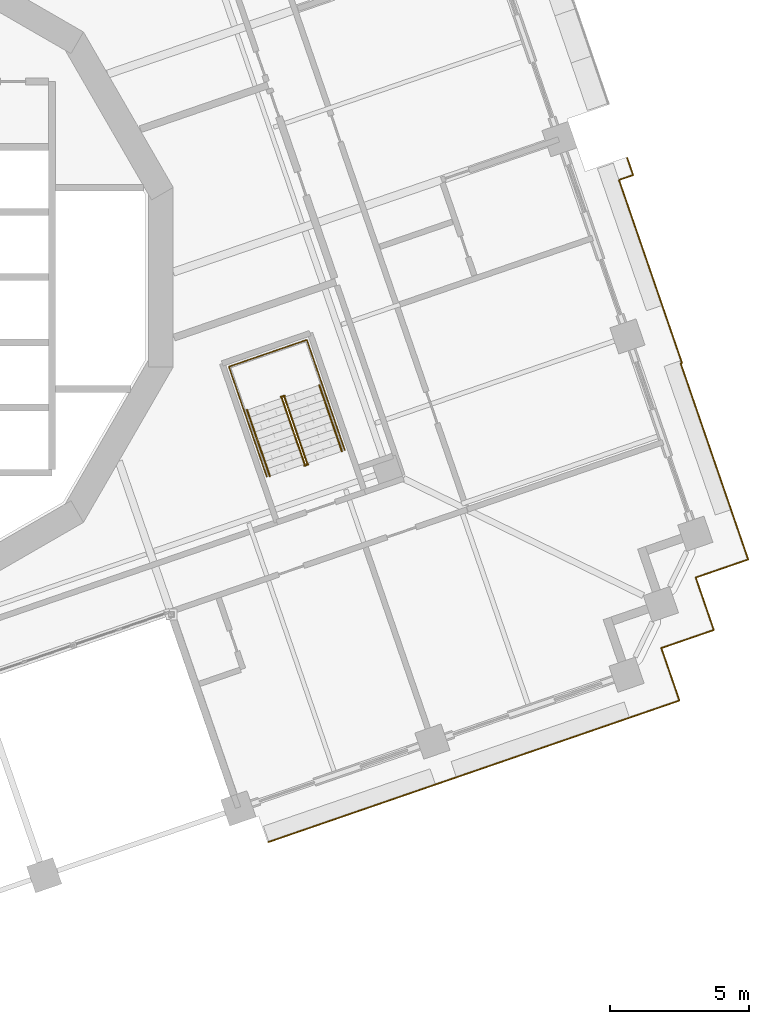
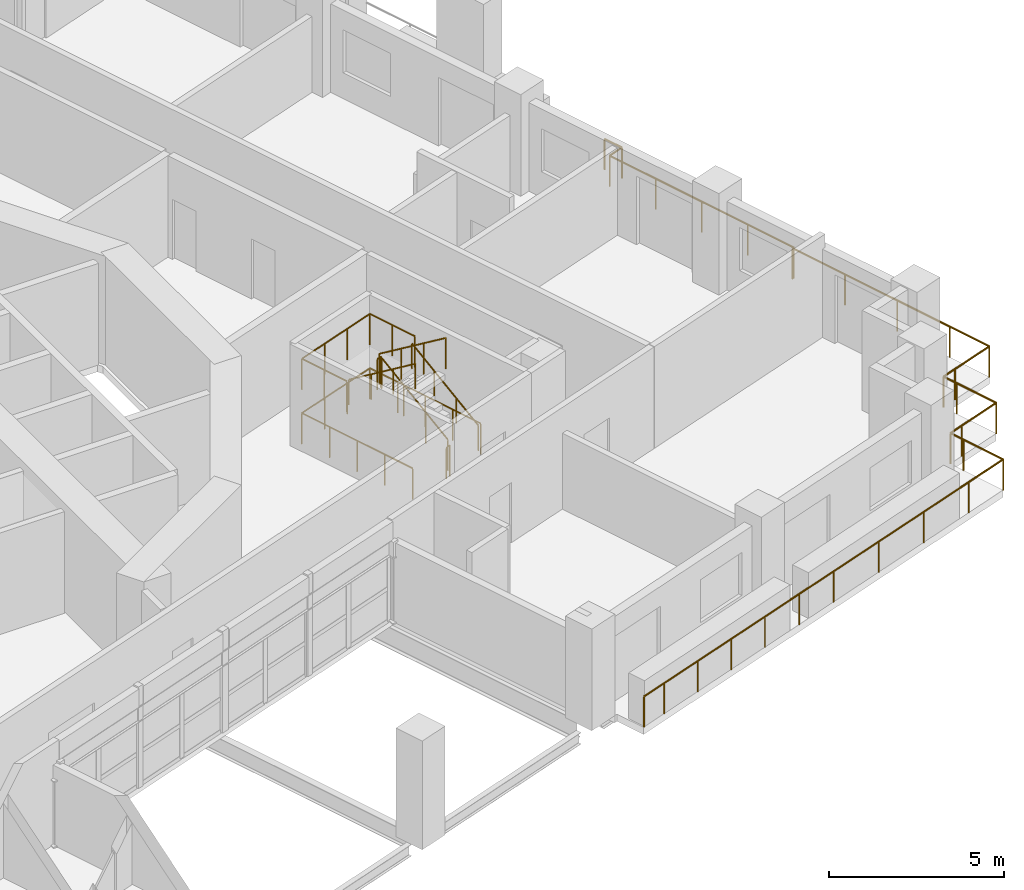
# One storey, part 18 of 22: 9 railings.
"""IFC4 building model written with IfcOpenShell, lengths in metres."""

from ifc_helpers import new_model, si_unit, direction, frame, origin, origin_2d, place, context, subcontext, project, spatial, circle, extrude, material, type_object, element, save


model = new_model("IFC4")

# Units and contexts
model_context = context("Model", 3, precision=1e-05, world=origin(), true_north=direction((0.0, 1.0)))
body_context = subcontext(model_context, "Body", "Model", "MODEL_VIEW")
ifc_project = project(units=[si_unit("LENGTHUNIT", "METRE"), si_unit("AREAUNIT", "SQUARE_METRE"), si_unit("VOLUMEUNIT", "CUBIC_METRE"), si_unit("PLANEANGLEUNIT", "RADIAN"), si_unit("MASSUNIT", "GRAM", prefix="KILO")], contexts=[model_context])

# Site, building, storey
site_placement = place(None, origin())
site = spatial("IfcSite", under=ifc_project, at=site_placement, CompositionType="ELEMENT")
building_placement = place(site_placement, origin())
building = spatial("IfcBuilding", under=site, at=building_placement, Name="Cantera Rosa Tower", CompositionType="ELEMENT")
storey_placement = place(building_placement, frame((0.0, 0.0, 107.89990234375)))
storey = spatial("IfcBuildingStorey", under=building, at=storey_placement, Name="L21", CompositionType="ELEMENT", Elevation=107.89990234375)

# Railings
ifc_material_1 = material(Name="Stainless steel and laminated glass", Category="steel")
railing_type_1 = type_object("IfcRailingType", Name="GUARD 1100", PredefinedType="BALUSTRADE", material=ifc_material_1)
railing_1_placement = place(storey_placement, frame((29.6689453125, -13.369140625, 0.0)))
element("IfcRailing", 1, at=railing_1_placement, inside=storey, type_object=railing_type_1, Name="GUARD L21-8", PredefinedType="BALUSTRADE", context=body_context, shape_type="SweptSolid", body=[
    extrude(circle(Radius=0.030029296875, at=origin_2d()), frame((0.0, 0.0, 1.070068359375), z_axis=(0.32573481536, -0.945461173218, 0.0), x_axis=(0.945461173218, 0.32573481536, 0.0)), (0.0, 0.0, 1.0), 0.5),
    extrude(circle(Radius=0.030029296875, at=origin_2d()), frame((0.162841796875, -0.47265625, 1.070068359375), z_axis=(0.325489086777, -0.945545797087, 0.0), x_axis=(0.945545797087, 0.325489086777, 0.0)), (0.0, 0.0, 1.0), 1.500244140625),
    extrude(circle(Radius=0.030029296875, at=origin_2d()), frame((0.651123046875, -1.89111328125, 1.070068359375), z_axis=(-0.945528551438, -0.325539181077, 0.0), x_axis=(0.325539181077, -0.945528551438, 0.0)), (0.0, 0.0, 1.0), 1.5),
    extrude(circle(Radius=0.030029296875, at=origin_2d()), frame((-0.76708984375, -2.37939453125, 1.070068359375), z_axis=(-0.945517123015, -0.325572373037, 0.0), x_axis=(0.325572373037, -0.945517123015, 0.0)), (0.0, 0.0, 1.0), 5.900146484375),
    extrude(circle(Radius=0.030029296875, at=origin_2d()), frame((-6.345703125, -4.30029296875, 1.070068359375), z_axis=(-0.945528551438, -0.325539181077, 0.0), x_axis=(0.325539181077, -0.945528551438, 0.0)), (0.0, 0.0, 1.0), 2.999755859375),
    extrude(circle(Radius=0.030029296875, at=origin_2d()), frame((-9.18212890625, -5.27685546875, 1.070068359375), z_axis=(-0.945513227049, -0.325583687361, 0.0), x_axis=(0.325583687361, -0.945513227049, 0.0)), (0.0, 0.0, 1.0), 4.400146484375),
    extrude(circle(Radius=0.030029296875, at=origin_2d()), frame((-13.342529296875, -6.70947265625, 1.070068359375), z_axis=(-0.945522007901, -0.325558186158, 0.0), x_axis=(0.325558186158, -0.945522007901, 0.0)), (0.0, 0.0, 1.0), 0.869873046875),
    extrude(circle(Radius=0.02490234375, at=origin_2d()), origin(), (0.0, 0.0, 1.0), 1.0400390625),
    extrude(circle(Radius=0.02490234375, at=origin_2d()), frame((0.162841796875, -0.47265625, 0.0)), (0.0, 0.0, 1.0), 1.0400390625),
    extrude(circle(Radius=0.02490234375, at=origin_2d()), frame((0.651123046875, -1.89111328125, 0.0)), (0.0, 0.0, 1.0), 1.0400390625),
    extrude(circle(Radius=0.02490234375, at=origin_2d()), frame((-0.76708984375, -2.37939453125, 0.0)), (0.0, 0.0, 1.0), 1.0400390625),
    extrude(circle(Radius=0.02490234375, at=origin_2d()), frame((-2.626708984375, -3.019775390625, 0.0)), (0.0, 0.0, 1.0), 1.0400390625),
    extrude(circle(Radius=0.02490234375, at=origin_2d()), frame((-4.486083984375, -3.659912109375, 0.0)), (0.0, 0.0, 1.0), 1.0400390625),
    extrude(circle(Radius=0.02490234375, at=origin_2d()), frame((-6.345703125, -4.30029296875, 0.0)), (0.0, 0.0, 1.0), 1.0400390625),
    extrude(circle(Radius=0.02490234375, at=origin_2d()), frame((-7.763916015625, -4.78857421875, 0.0)), (0.0, 0.0, 1.0), 1.0400390625),
    extrude(circle(Radius=0.02490234375, at=origin_2d()), frame((-9.18212890625, -5.27685546875, 0.0)), (0.0, 0.0, 1.0), 1.0400390625),
    extrude(circle(Radius=0.02490234375, at=origin_2d()), frame((-10.56884765625, -5.75439453125, 0.0)), (0.0, 0.0, 1.0), 1.0400390625),
    extrude(circle(Radius=0.02490234375, at=origin_2d()), frame((-11.955810546875, -6.23193359375, 0.0)), (0.0, 0.0, 1.0), 1.0400390625),
    extrude(circle(Radius=0.02490234375, at=origin_2d()), frame((-13.342529296875, -6.70947265625, 0.0)), (0.0, 0.0, 1.0), 1.0400390625),
    extrude(circle(Radius=0.02490234375, at=origin_2d()), frame((-14.1650390625, -6.99267578125, 0.0)), (0.0, 0.0, 1.0), 1.0400390625),
])
railing_2_placement = place(storey_placement, frame((28.4375, 4.302734375, 0.0)))
element("IfcRailing", 2, at=railing_2_placement, inside=storey, type_object=railing_type_1, Name="GUARD L21-9", PredefinedType="BALUSTRADE", context=body_context, shape_type="SweptSolid", body=[
    extrude(circle(Radius=0.030029296875, at=origin_2d()), frame((0.0, 0.0, 1.070068359375), z_axis=(0.325659546452, -0.945487101871, 0.0), x_axis=(0.945487101871, 0.325659546452, 0.0)), (0.0, 0.0, 1.0), 0.658935546875),
    extrude(circle(Radius=0.030029296875, at=origin_2d()), frame((0.214599609375, -0.623046875, 1.070068359375), z_axis=(-0.945368163096, -0.326004656722, 0.0), x_axis=(0.326004656722, -0.945368163096, 0.0)), (0.0, 0.0, 1.0), 0.538330078125),
    extrude(circle(Radius=0.030029296875, at=origin_2d()), frame((-0.29443359375, -0.798583984375, 1.070068359375), z_axis=(0.325570342636, -0.945517822146, 0.0), x_axis=(0.945517822146, 0.325570342636, 0.0)), (0.0, 0.0, 1.0), 6.9814453125),
    extrude(circle(Radius=0.030029296875, at=origin_2d()), frame((1.978515625, -7.399658203125, 1.070068359375), z_axis=(-0.946241776499, -0.323460199109, 0.0), x_axis=(0.323460199109, -0.946241776499, 0.0)), (0.0, 0.0, 1.0), 0.050537109375),
    extrude(circle(Radius=0.030029296875, at=origin_2d()), frame((1.9306640625, -7.416015625, 1.070068359375), z_axis=(0.325549503815, -0.945524997325, 0.0), x_axis=(0.945524997325, 0.325549503815, 0.0)), (0.0, 0.0, 1.0), 5.969482421875),
    extrude(circle(Radius=0.030029296875, at=origin_2d()), frame((3.8740234375, -13.060302734375, 1.070068359375), z_axis=(0.325539181077, -0.945528551438, 0.0), x_axis=(0.945528551438, 0.325539181077, 0.0)), (0.0, 0.0, 1.0), 1.5),
    extrude(circle(Radius=0.030029296875, at=origin_2d()), frame((4.3623046875, -14.478515625, 1.070068359375), z_axis=(-0.945528551438, -0.325539181077, 0.0), x_axis=(0.325539181077, -0.945528551438, 0.0)), (0.0, 0.0, 1.0), 1.5),
    extrude(circle(Radius=0.030029296875, at=origin_2d()), frame((2.944091796875, -14.966796875, 1.070068359375), z_axis=(-0.945461173218, -0.32573481536, 0.0), x_axis=(0.32573481536, -0.945461173218, 0.0)), (0.0, 0.0, 1.0), 0.5),
    extrude(circle(Radius=0.030029296875, at=origin_2d()), frame((2.471435546875, -15.129638671875, 1.070068359375), z_axis=(0.325147989177, -0.945663145699, 0.0), x_axis=(0.945663145699, 0.325147989177, 0.0)), (0.0, 0.0, 1.0), 0.5),
    extrude(circle(Radius=0.030029296875, at=origin_2d()), frame((2.634033203125, -15.6025390625, 1.070068359375), z_axis=(0.325684689469, -0.945478441343, 0.0), x_axis=(0.945478441343, 0.325684689469, 0.0)), (0.0, 0.0, 1.0), 1.5),
    extrude(circle(Radius=0.030029296875, at=origin_2d()), frame((3.12255859375, -17.020751953125, 1.070068359375), z_axis=(-0.945545797087, -0.325489086777, 0.0), x_axis=(0.325489086777, -0.945545797087, 0.0)), (0.0, 0.0, 1.0), 1.500244140625),
    extrude(circle(Radius=0.030029296875, at=origin_2d()), frame((1.7041015625, -17.509033203125, 1.070068359375), z_axis=(-0.945461173218, -0.32573481536, 0.0), x_axis=(0.32573481536, -0.945461173218, 0.0)), (0.0, 0.0, 1.0), 0.5),
    extrude(circle(Radius=0.02490234375, at=origin_2d()), origin(), (0.0, 0.0, 1.0), 1.0400390625),
    extrude(circle(Radius=0.02490234375, at=origin_2d()), frame((0.214599609375, -0.623046875, 0.0)), (0.0, 0.0, 1.0), 1.0400390625),
    extrude(circle(Radius=0.02490234375, at=origin_2d()), frame((-0.29443359375, -0.798583984375, 0.0)), (0.0, 0.0, 1.0), 1.0400390625),
    extrude(circle(Radius=0.02490234375, at=origin_2d()), frame((0.27392578125, -2.44873046875, 0.0)), (0.0, 0.0, 1.0), 1.0400390625),
    extrude(circle(Radius=0.02490234375, at=origin_2d()), frame((0.842041015625, -4.09912109375, 0.0)), (0.0, 0.0, 1.0), 1.0400390625),
    extrude(circle(Radius=0.02490234375, at=origin_2d()), frame((1.41015625, -5.74951171875, 0.0)), (0.0, 0.0, 1.0), 1.0400390625),
    extrude(circle(Radius=0.02490234375, at=origin_2d()), frame((1.978515625, -7.399658203125, 0.0)), (0.0, 0.0, 1.0), 1.0400390625),
    extrude(circle(Radius=0.02490234375, at=origin_2d()), frame((1.9306640625, -7.416015625, 0.0)), (0.0, 0.0, 1.0), 1.0400390625),
    extrude(circle(Radius=0.02490234375, at=origin_2d()), frame((2.578369140625, -9.29736328125, 0.0)), (0.0, 0.0, 1.0), 1.0400390625),
    extrude(circle(Radius=0.02490234375, at=origin_2d()), frame((3.226318359375, -11.178955078125, 0.0)), (0.0, 0.0, 1.0), 1.0400390625),
    extrude(circle(Radius=0.02490234375, at=origin_2d()), frame((3.8740234375, -13.060302734375, 0.0)), (0.0, 0.0, 1.0), 1.0400390625),
    extrude(circle(Radius=0.02490234375, at=origin_2d()), frame((4.3623046875, -14.478515625, 0.0)), (0.0, 0.0, 1.0), 1.0400390625),
    extrude(circle(Radius=0.02490234375, at=origin_2d()), frame((2.944091796875, -14.966796875, 0.0)), (0.0, 0.0, 1.0), 1.0400390625),
    extrude(circle(Radius=0.02490234375, at=origin_2d()), frame((2.471435546875, -15.129638671875, 0.0)), (0.0, 0.0, 1.0), 1.0400390625),
    extrude(circle(Radius=0.02490234375, at=origin_2d()), frame((2.634033203125, -15.6025390625, 0.0)), (0.0, 0.0, 1.0), 1.0400390625),
    extrude(circle(Radius=0.02490234375, at=origin_2d()), frame((3.12255859375, -17.020751953125, 0.0)), (0.0, 0.0, 1.0), 1.0400390625),
    extrude(circle(Radius=0.02490234375, at=origin_2d()), frame((1.7041015625, -17.509033203125, 0.0)), (0.0, 0.0, 1.0), 1.0400390625),
    extrude(circle(Radius=0.02490234375, at=origin_2d()), frame((1.2314453125, -17.671875, 0.0)), (0.0, 0.0, 1.0), 1.0400390625),
])
ifc_material_2 = material(Name="Steel S355J2 (EN 10025-2)", Category="steel")
railing_type_2 = type_object("IfcRailingType", Name="STAIR GUARD 1100", PredefinedType="GUARDRAIL", material=ifc_material_2)
railing_3_placement = place(storey_placement, frame((16.902099609375, -6.707763671875, 0.190185546875)))
element("IfcRailing", 3, at=railing_3_placement, inside=storey, type_object=railing_type_2, Name="L21 ST-23 stair guard 1", PredefinedType="GUARDRAIL", context=body_context, shape_type="SweptSolid", body=[
    extrude(circle(Radius=0.02392578125, at=origin_2d()), frame((0.0, 0.0, 1.076171875), z_axis=(-0.269358070891, 0.782421063063, 0.561483312059), x_axis=(-0.945537585866, -0.325512939397, 0.0)), (0.0, 0.0, 1.0), 3.04541015625),
    extrude(circle(Radius=0.02392578125, at=origin_2d()), frame((-0.8203125, 2.3828125, 2.7861328125), z_axis=(0.147491890402, 0.989063265047, 0.0), x_axis=(-0.989063265047, 0.147491890402, 0.0)), (0.0, 0.0, 1.0), 0.056396484375),
    extrude(circle(Radius=0.02392578125, at=origin_2d()), frame((-0.81201171875, 2.4384765625, 2.7861328125), z_axis=(-0.945545797087, -0.325489086777, 0.0), x_axis=(0.325489086777, -0.945545797087, 0.0)), (0.0, 0.0, 1.0), 0.14990234375),
    extrude(circle(Radius=0.02099609375, at=origin_2d()), origin(), (0.0, 0.0, 1.0), 1.052001953125),
    extrude(circle(Radius=0.02099609375, at=origin_2d()), frame((-0.2734375, 0.794189453125, 0.570068359375)), (0.0, 0.0, 1.0), 1.052001953125),
    extrude(circle(Radius=0.02099609375, at=origin_2d()), frame((-0.546875, 1.588623046875, 1.139892578125)), (0.0, 0.0, 1.0), 1.052001953125),
    extrude(circle(Radius=0.02099609375, at=origin_2d()), frame((-0.8203125, 2.3828125, 1.7099609375)), (0.0, 0.0, 1.0), 1.052001953125),
    extrude(circle(Radius=0.02099609375, at=origin_2d()), frame((-0.81201171875, 2.4384765625, 1.7099609375)), (0.0, 0.0, 1.0), 1.052001953125),
    extrude(circle(Radius=0.02099609375, at=origin_2d()), frame((-0.953857421875, 2.3896484375, 1.7099609375)), (0.0, 0.0, 1.0), 1.052001953125),
])
railing_4_placement = place(storey_placement, frame((15.989013671875, -4.35693359375, 2.090087890625)))
element("IfcRailing", 4, at=railing_4_placement, inside=storey, type_object=railing_type_2, Name="L21 ST-23 stair guard 2", PredefinedType="GUARDRAIL", context=body_context, shape_type="SweptSolid", body=[
    extrude(circle(Radius=0.02392578125, at=origin_2d()), frame((0.0, 0.0, 1.076171875), z_axis=(0.269432418223, -0.782404165978, 0.561471186323), x_axis=(0.94550776501, 0.325599548996, 0.0)), (0.0, 0.0, 1.0), 3.04541015625),
    extrude(circle(Radius=0.02099609375, at=origin_2d()), origin(), (0.0, 0.0, 1.0), 1.052001953125),
    extrude(circle(Radius=0.02099609375, at=origin_2d()), frame((0.2734375, -0.794189453125, 0.570068359375)), (0.0, 0.0, 1.0), 1.052001953125),
    extrude(circle(Radius=0.02099609375, at=origin_2d()), frame((0.547119140625, -1.588623046875, 1.139892578125)), (0.0, 0.0, 1.0), 1.052001953125),
    extrude(circle(Radius=0.02099609375, at=origin_2d()), frame((0.820556640625, -2.3828125, 1.7099609375)), (0.0, 0.0, 1.0), 1.052001953125),
])
railing_5_placement = place(storey_placement, frame((16.94287109375, -6.74658203125, 0.0)))
element("IfcRailing", 5, at=railing_5_placement, inside=storey, type_object=railing_type_2, Name="L21 ST-23 stair guard 3", PredefinedType="GUARDRAIL", context=body_context, shape_type="SweptSolid", body=[
    extrude(circle(Radius=0.02392578125, at=origin_2d()), frame((0.0, 0.0, 1.076171875), z_axis=(-0.945372981626, -0.325990683319, 0.0), x_axis=(0.325990683319, -0.945372981626, 0.0)), (0.0, 0.0, 1.0), 0.14990234375),
    extrude(circle(Radius=0.02099609375, at=origin_2d()), origin(), (0.0, 0.0, 1.0), 1.052001953125),
    extrude(circle(Radius=0.02099609375, at=origin_2d()), frame((-0.1416015625, -0.048828125, 0.0)), (0.0, 0.0, 1.0), 1.052001953125),
])
railing_6_placement = place(storey_placement, frame((18.256103515625, -6.22900390625, 0.0)))
element("IfcRailing", 6, at=railing_6_placement, inside=storey, type_object=railing_type_2, Name="L21 ST-23 stair guard 4", PredefinedType="GUARDRAIL", context=body_context, shape_type="SweptSolid", body=[
    extrude(circle(Radius=0.02392578125, at=origin_2d()), frame((0.0, 0.0, 1.076171875), z_axis=(-0.3255981694, 0.945508240093, 0.0), x_axis=(-0.945508240093, -0.3255981694, 0.0)), (0.0, 0.0, 1.0), 4.1982421875),
    extrude(circle(Radius=0.02392578125, at=origin_2d()), frame((-1.366943359375, 3.969482421875, 1.076171875), z_axis=(-0.945504814226, -0.325608117645, 0.0), x_axis=(0.325608117645, -0.945504814226, 0.0)), (0.0, 0.0, 1.0), 2.969970703125),
    extrude(circle(Radius=0.02392578125, at=origin_2d()), frame((-4.175048828125, 3.00244140625, 1.076171875), z_axis=(0.325564081496, -0.945519978022, 0.0), x_axis=(0.945519978022, 0.325564081496, 0.0)), (0.0, 0.0, 1.0), 4.197998046875),
    extrude(circle(Radius=0.02099609375, at=origin_2d()), origin(), (0.0, 0.0, 1.0), 1.052001953125),
    extrude(circle(Radius=0.02099609375, at=origin_2d()), frame((-0.341796875, 0.992431640625, 0.0)), (0.0, 0.0, 1.0), 1.052001953125),
    extrude(circle(Radius=0.02099609375, at=origin_2d()), frame((-0.68359375, 1.98486328125, 0.0)), (0.0, 0.0, 1.0), 1.052001953125),
    extrude(circle(Radius=0.02099609375, at=origin_2d()), frame((-1.025146484375, 2.97705078125, 0.0)), (0.0, 0.0, 1.0), 1.052001953125),
    extrude(circle(Radius=0.02099609375, at=origin_2d()), frame((-1.366943359375, 3.969482421875, 0.0)), (0.0, 0.0, 1.0), 1.052001953125),
    extrude(circle(Radius=0.02099609375, at=origin_2d()), frame((-2.302978515625, 3.647216796875, 0.0)), (0.0, 0.0, 1.0), 1.052001953125),
    extrude(circle(Radius=0.02099609375, at=origin_2d()), frame((-3.239013671875, 3.32470703125, 0.0)), (0.0, 0.0, 1.0), 1.052001953125),
    extrude(circle(Radius=0.02099609375, at=origin_2d()), frame((-4.175048828125, 3.00244140625, 0.0)), (0.0, 0.0, 1.0), 1.052001953125),
    extrude(circle(Radius=0.02099609375, at=origin_2d()), frame((-3.83349609375, 2.01025390625, 0.0)), (0.0, 0.0, 1.0), 1.052001953125),
    extrude(circle(Radius=0.02099609375, at=origin_2d()), frame((-3.49169921875, 1.017822265625, 0.0)), (0.0, 0.0, 1.0), 1.052001953125),
    extrude(circle(Radius=0.02099609375, at=origin_2d()), frame((-3.14990234375, 0.025390625, 0.0)), (0.0, 0.0, 1.0), 1.052001953125),
    extrude(circle(Radius=0.02099609375, at=origin_2d()), frame((-2.808349609375, -0.966796875, 0.0)), (0.0, 0.0, 1.0), 1.052001953125),
])
railing_7_placement = place(storey_placement, frame((17.443359375, -3.868896484375, 1.900146484375)))
element("IfcRailing", 7, at=railing_7_placement, inside=storey, type_object=railing_type_2, Name="L21 ST-23 stair guard 5", PredefinedType="GUARDRAIL", context=body_context, shape_type="SweptSolid", body=[
    extrude(circle(Radius=0.02392578125, at=origin_2d()), frame((0.0, 0.0, 1.076171875), z_axis=(-0.32559282233, 0.94551008141, 0.0), x_axis=(-0.94551008141, -0.32559282233, 0.0)), (0.0, 0.0, 1.0), 1.7021484375),
    extrude(circle(Radius=0.02392578125, at=origin_2d()), frame((-0.55419921875, 1.609375, 1.076171875), z_axis=(-0.945504814226, -0.325608117645, 0.0), x_axis=(0.325608117645, -0.945504814226, 0.0)), (0.0, 0.0, 1.0), 2.969970703125),
    extrude(circle(Radius=0.02392578125, at=origin_2d()), frame((-3.3623046875, 0.642333984375, 1.076171875), z_axis=(0.32559282233, -0.94551008141, 0.0), x_axis=(0.94551008141, 0.32559282233, 0.0)), (0.0, 0.0, 1.0), 1.7021484375),
    extrude(circle(Radius=0.02099609375, at=origin_2d()), origin(), (0.0, 0.0, 1.0), 1.052001953125),
    extrude(circle(Radius=0.02099609375, at=origin_2d()), frame((-0.277099609375, 0.8046875, 0.0)), (0.0, 0.0, 1.0), 1.052001953125),
    extrude(circle(Radius=0.02099609375, at=origin_2d()), frame((-0.55419921875, 1.609375, 0.0)), (0.0, 0.0, 1.0), 1.052001953125),
    extrude(circle(Radius=0.02099609375, at=origin_2d()), frame((-1.490234375, 1.287109375, 0.0)), (0.0, 0.0, 1.0), 1.052001953125),
    extrude(circle(Radius=0.02099609375, at=origin_2d()), frame((-2.42626953125, 0.964599609375, 0.0)), (0.0, 0.0, 1.0), 1.052001953125),
    extrude(circle(Radius=0.02099609375, at=origin_2d()), frame((-3.3623046875, 0.642333984375, 0.0)), (0.0, 0.0, 1.0), 1.052001953125),
    extrude(circle(Radius=0.02099609375, at=origin_2d()), frame((-3.085205078125, -0.162353515625, 0.0)), (0.0, 0.0, 1.0), 1.052001953125),
    extrude(circle(Radius=0.02099609375, at=origin_2d()), frame((-2.80810546875, -0.967041015625, 0.0)), (0.0, 0.0, 1.0), 1.052001953125),
])
ifc_material_3 = material(Name="Steel S355J2 (EN 10025-2)", Category="steel")
railing_type_3 = type_object("IfcRailingType", Name="STAIR HANDRAIL 900", PredefinedType="HANDRAIL", material=ifc_material_3)
railing_8_placement = place(storey_placement, frame((18.15576171875, -6.276123046875, 0.190185546875)))
element("IfcRailing", 8, at=railing_8_placement, inside=storey, type_object=railing_type_3, Name="L21 ST-23 stair handrail 1", PredefinedType="HANDRAIL", context=body_context, shape_type="SweptSolid", body=[
    extrude(circle(Radius=0.02392578125, at=origin_2d()), frame((0.0, 0.0, 0.8759765625), z_axis=(-0.269358070891, 0.782421063063, 0.561483312059), x_axis=(-0.945537585866, -0.325512939397, 0.0)), (0.0, 0.0, 1.0), 3.04541015625),
    extrude(circle(Radius=0.02099609375, at=origin_2d()), origin(), (0.0, 0.0, 1.0), 0.851806640625),
    extrude(circle(Radius=0.02099609375, at=origin_2d()), frame((-0.2734375, 0.794189453125, 0.570068359375)), (0.0, 0.0, 1.0), 0.851806640625),
    extrude(circle(Radius=0.02099609375, at=origin_2d()), frame((-0.546875, 1.588623046875, 1.139892578125)), (0.0, 0.0, 1.0), 0.851806640625),
    extrude(circle(Radius=0.02099609375, at=origin_2d()), frame((-0.8203125, 2.3828125, 1.7099609375)), (0.0, 0.0, 1.0), 0.851806640625),
])
railing_9_placement = place(storey_placement, frame((14.7353515625, -4.78857421875, 2.090087890625)))
element("IfcRailing", 9, at=railing_9_placement, inside=storey, type_object=railing_type_3, Name="L21 ST-23 stair handrail 2", PredefinedType="HANDRAIL", context=body_context, shape_type="SweptSolid", body=[
    extrude(circle(Radius=0.02392578125, at=origin_2d()), frame((0.0, 0.0, 0.8759765625), z_axis=(0.269358070891, -0.782421063063, 0.561483312059), x_axis=(0.945537585866, 0.325512939397, 0.0)), (0.0, 0.0, 1.0), 3.04541015625),
    extrude(circle(Radius=0.02099609375, at=origin_2d()), origin(), (0.0, 0.0, 1.0), 0.851806640625),
    extrude(circle(Radius=0.02099609375, at=origin_2d()), frame((0.2734375, -0.794189453125, 0.570068359375)), (0.0, 0.0, 1.0), 0.851806640625),
    extrude(circle(Radius=0.02099609375, at=origin_2d()), frame((0.546875, -1.588623046875, 1.139892578125)), (0.0, 0.0, 1.0), 0.851806640625),
    extrude(circle(Radius=0.02099609375, at=origin_2d()), frame((0.8203125, -2.3828125, 1.7099609375)), (0.0, 0.0, 1.0), 0.851806640625),
])

save(model, "model.ifc")
